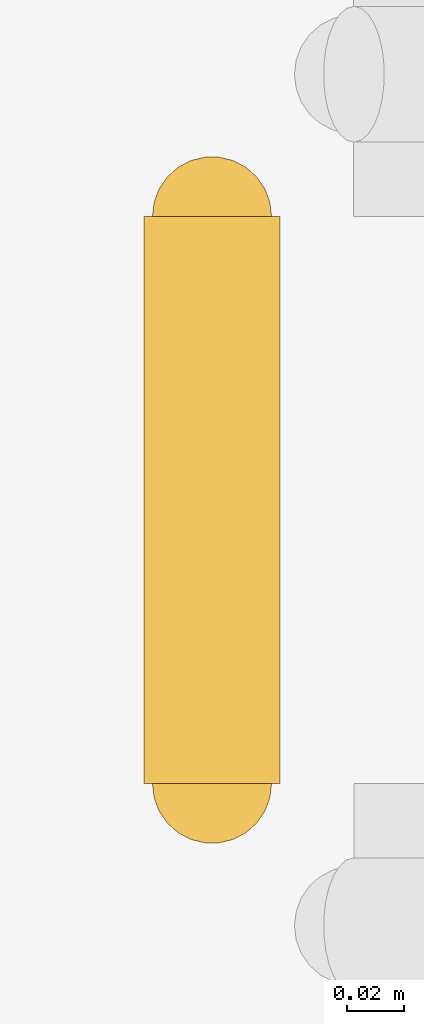
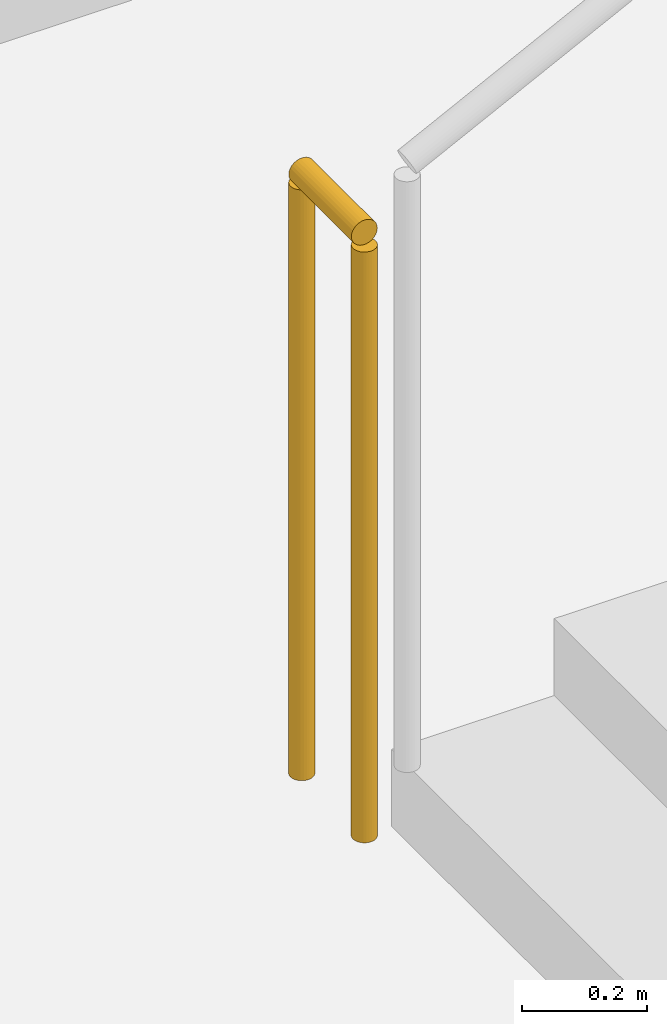
# One storey, part 39 of 49: 1 railing.
"""IFC4 building model written with IfcOpenShell, lengths in metres."""

from ifc_helpers import new_model, si_unit, direction, frame, origin, origin_2d, place, context, subcontext, project, spatial, circle, extrude, material, type_object, element, save


model = new_model("IFC4")

# Units and contexts
model_context = context("Model", 3, precision=1e-05, world=origin(), true_north=direction((0.0, 1.0)))
body_context = subcontext(model_context, "Body", "Model", "MODEL_VIEW")
ifc_project = project(units=[si_unit("LENGTHUNIT", "METRE"), si_unit("AREAUNIT", "SQUARE_METRE"), si_unit("VOLUMEUNIT", "CUBIC_METRE"), si_unit("PLANEANGLEUNIT", "RADIAN"), si_unit("MASSUNIT", "GRAM", prefix="KILO"), si_unit("THERMODYNAMICTEMPERATUREUNIT", "KELVIN")], contexts=[model_context])

# Site, building, storey
site_placement = place(None, origin())
site = spatial("IfcSite", under=ifc_project, at=site_placement, CompositionType="ELEMENT")
building_placement = place(site_placement, origin())
building = spatial("IfcBuilding", under=site, at=building_placement, Name="Lustrewick Department Store", CompositionType="ELEMENT")
storey_placement = place(building_placement, frame((0.0, 0.0, -5.39990234375)))
storey = spatial("IfcBuildingStorey", under=building, at=storey_placement, Name="B1", CompositionType="ELEMENT", Elevation=-5.39990234375)

# Railing
ifc_material = material(Name="Painted tubular steel stairwell guardrail", Category="steel")
railing_type = type_object("IfcRailingType", Name="RL-STG", PredefinedType="GUARDRAIL", material=ifc_material)
railing_placement = place(storey_placement, frame((63.0, 62.10009765625, 0.0)))
element("IfcRailing", 1, at=railing_placement, inside=storey, type_object=railing_type, Name="B1 ST04 Stair Guard 4", PredefinedType="GUARDRAIL", context=body_context, shape_type="SweptSolid", body=[
    extrude(circle(Radius=0.02392578125, at=origin_2d()), frame((0.0, 0.0, 1.17578125), z_axis=(0.0, 1.0, 0.0), x_axis=(-1.0, 0.0, 0.0)), (0.0, 0.0, 1.0), 0.199951171875),
    extrude(circle(Radius=0.02099609375, at=origin_2d()), origin(), (0.0, 0.0, 1.0), 1.15185546875),
    extrude(circle(Radius=0.02099609375, at=origin_2d()), frame((0.0, 0.199951171875, 0.0)), (0.0, 0.0, 1.0), 1.15185546875),
])

save(model, "model.ifc")
